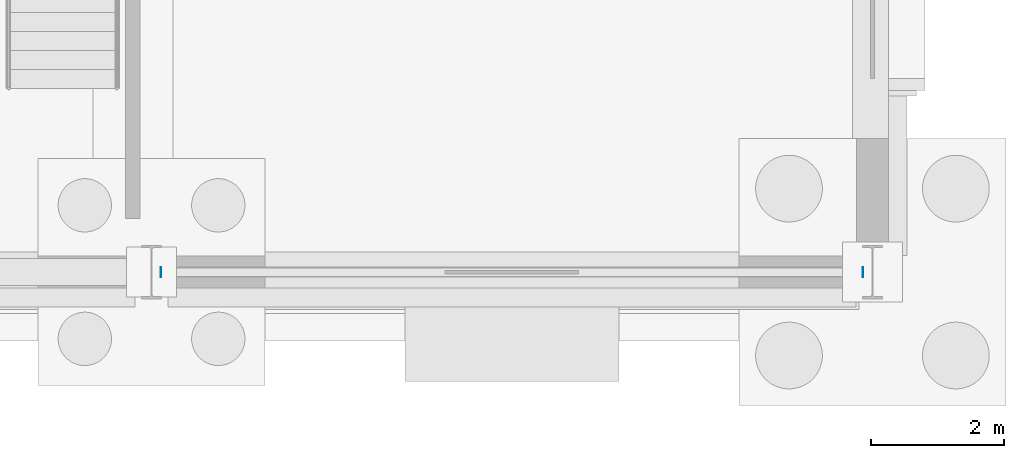
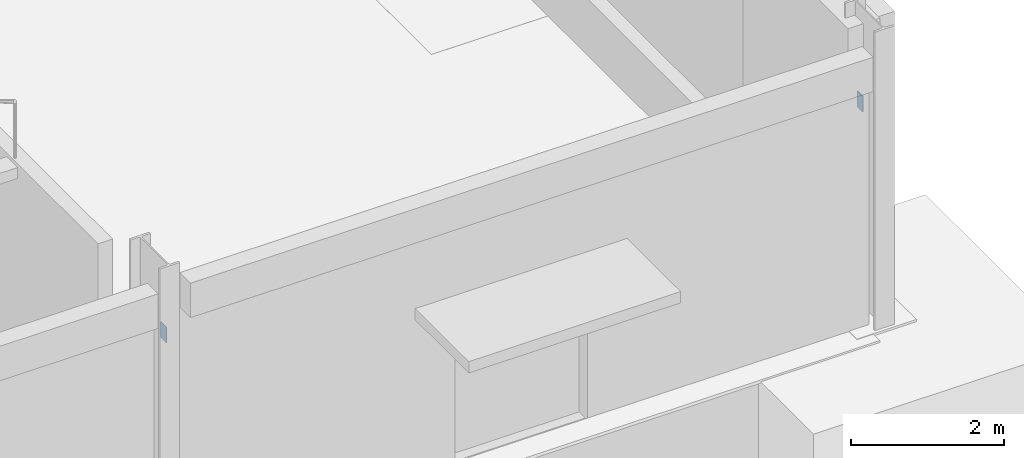
# One storey, part 46 of 73: 2 plates.
"""IFC4 building model written with IfcOpenShell, lengths in metres."""

from ifc_helpers import new_model, si_unit, direction, frame, origin, origin_2d, place, context, subcontext, project, spatial, rectangle, extrude, material, layer, layer_set, type_object, element, save


model = new_model("IFC4")

# Units and contexts
model_context = context("Model", 3, precision=1e-05, world=origin(), true_north=direction((0.0, 1.0)))
body_context = subcontext(model_context, "Body", "Model", "MODEL_VIEW")
ifc_project = project(units=[si_unit("LENGTHUNIT", "METRE"), si_unit("AREAUNIT", "SQUARE_METRE"), si_unit("VOLUMEUNIT", "CUBIC_METRE"), si_unit("PLANEANGLEUNIT", "RADIAN"), si_unit("MASSUNIT", "GRAM", prefix="KILO")], contexts=[model_context])

# Site, building, storey
site_placement = place(None, origin())
site = spatial("IfcSite", under=ifc_project, at=site_placement, CompositionType="ELEMENT")
building_placement = place(site_placement, origin())
building = spatial("IfcBuilding", under=site, at=building_placement, Name="Tasgan Crest Museum", CompositionType="ELEMENT")
storey_placement = place(building_placement, origin())
storey = spatial("IfcBuildingStorey", under=building, at=storey_placement, Name="L00", CompositionType="ELEMENT", Elevation=0.0)

# Plates
ifc_material = material(Name="Steel S355K2", Category="steel")
ifc_layer = layer(ifc_material, 0.14990234375, Name="PL-CAP-10x150x250")
ifc_layer_set = layer_set([ifc_layer], Name="Steel S355K2")
plate_type = type_object("IfcPlateType", Name="PL-CAP-10x150x250", PredefinedType="USERDEFINED", material=ifc_layer_set)
for number, where, z_axis, x_axis, name in (
    (1, (43.340087890625, 0.0, 3.324951171875), (0.0, 0.0, 1.0), (1.0, 0.0, 0.0), "End plate Portal lintel beam 04 end A"),
    (2, (53.860107421875, 0.0, 3.324951171875), (0.0, 0.0, 1.0), (1.0, 0.0, 0.0), "End plate Portal lintel beam 04 end B"),
):
    element("IfcPlate", number, at=place(storey_placement, frame(where, z_axis=z_axis, x_axis=x_axis)), inside=storey, type_object=plate_type, Name=name, ObjectType="END PLATE", PredefinedType="USERDEFINED", context=body_context, shape_type="SweptSolid", body=[
        extrude(rectangle(XDim=0.010009765625, YDim=0.14990234375, at=origin_2d()), origin(), (0.0, 0.0, 1.0), 0.25),
    ])

save(model, "model.ifc")
